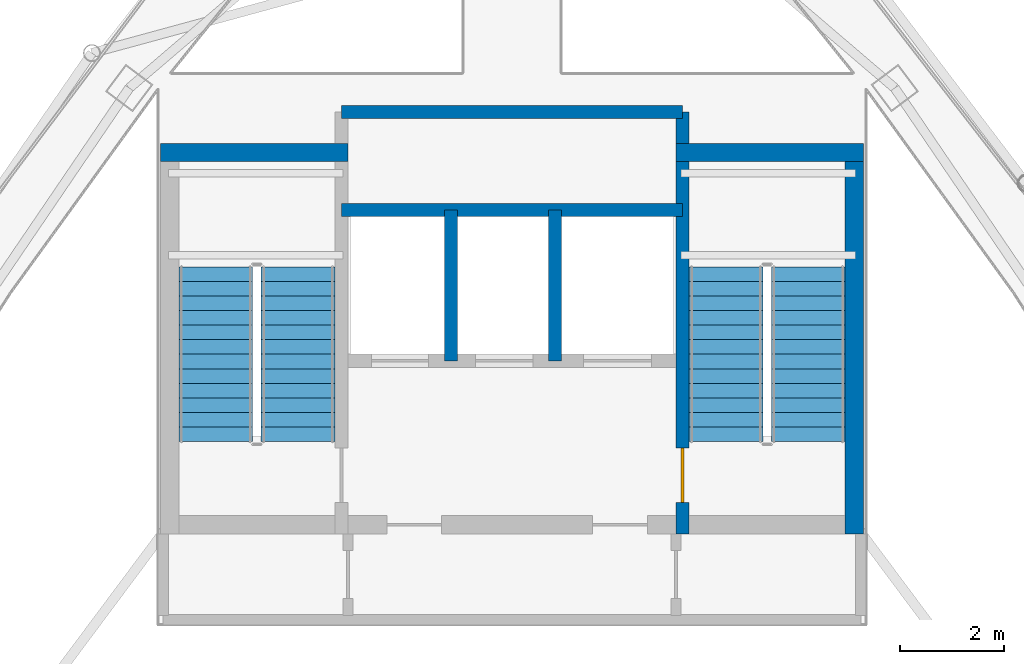
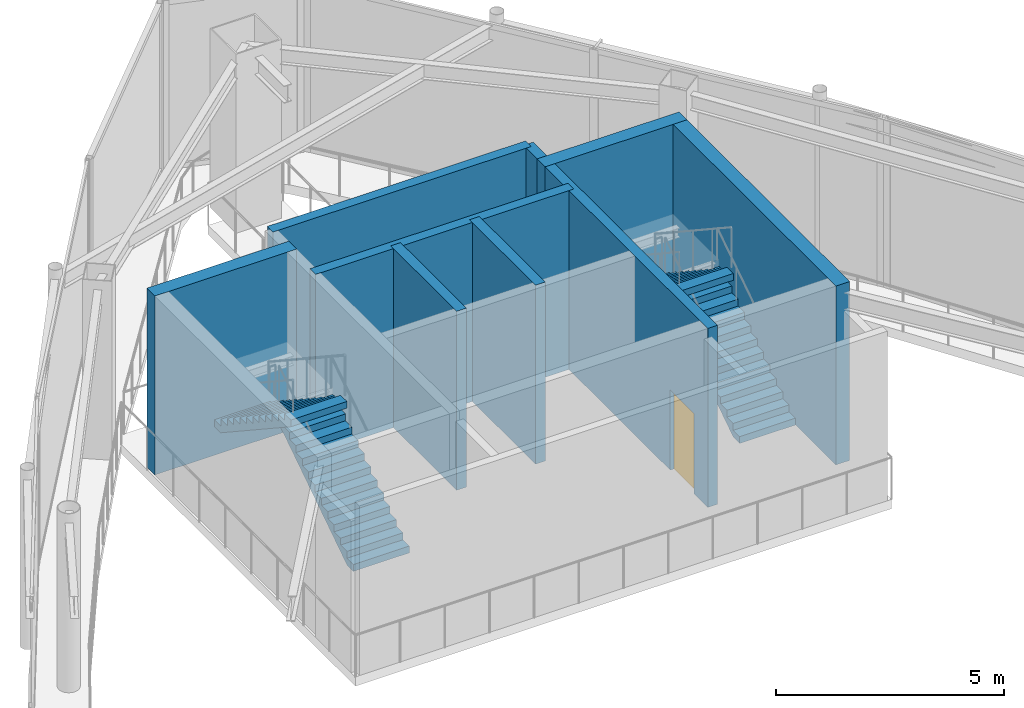
# One storey, part 16 of 19: 8 walls, 4 stair flights, 1 door, 1 opening, 2 elements without a shape of their own.
"""IFC4 building model written with IfcOpenShell, lengths in metres."""

from ifc_helpers import new_model, si_unit, direction, frame, frame_2d, origin, place, context, subcontext, project, spatial, polyline, rectangle, outline, extrude, material, layer, layer_set, type_object, element, fill, aggregate, save


model = new_model("IFC4")

# Units and contexts
model_context = context("Model", 3, precision=1e-05, world=origin(), true_north=direction((0.0, 1.0)))
body_context = subcontext(model_context, "Body", "Model", "MODEL_VIEW")
ifc_project = project(units=[si_unit("LENGTHUNIT", "METRE"), si_unit("AREAUNIT", "SQUARE_METRE"), si_unit("VOLUMEUNIT", "CUBIC_METRE"), si_unit("PLANEANGLEUNIT", "RADIAN"), si_unit("MASSUNIT", "GRAM", prefix="KILO")], contexts=[model_context])

# Site, building, storey
site_placement = place(None, origin())
site = spatial("IfcSite", under=ifc_project, at=site_placement, CompositionType="ELEMENT")
building_placement = place(site_placement, origin())
building = spatial("IfcBuilding", under=site, at=building_placement, Name="Orvanel Arch Residences", CompositionType="ELEMENT")
storey_placement = place(building_placement, frame((0.0, 0.0, 286.10009765625)))
storey = spatial("IfcBuildingStorey", under=building, at=storey_placement, Name="L81", CompositionType="ELEMENT", Elevation=286.10009765625)

# Wall, opening, door
ifc_material_1 = material(Name="Concrete N50 (50 MPa)", Category="concrete")
ifc_layer_1 = layer(ifc_material_1, 0.25)
ifc_layer_set_1 = layer_set([ifc_layer_1], Name="Concrete N50 (50 MPa)")
wall_type_1 = type_object("IfcWallType", Name="SW-CORE-250", PredefinedType="SHEAR", material=ifc_layer_set_1)
wall_1_placement = place(storey_placement, frame((36.27490234375, 26.550048828125, 0.0), z_axis=(0.0, 0.0, 1.0), x_axis=(0.0, 1.0, 0.0)))
wall_1 = element("IfcWall", 1, at=wall_1_placement, inside=storey, type_object=wall_type_1, Name="L81 East Inner Core Spine Shear Wall", PredefinedType="SHEAR", context=body_context, shape_type="SweptSolid", body=[
    extrude(rectangle(XDim=8.099853515625, YDim=0.25, at=frame_2d((4.0498046875, 0.0))), origin(), (0.0, 0.0, 1.0), 4.7998046875),
])
opening_placement = place(wall_1_placement, frame((0.60009765625, 0.0, 0.0)))
opening = element("IfcOpeningElement", 2, at=opening_placement, cuts=wall_1, Name="Opening DF-120", PredefinedType="OPENING", context=body_context, shape_type="SweptSolid", body=[
    extrude(rectangle(XDim=1.050048828125, YDim=2.14990234375, at=frame_2d((0.52490234375, 1.074951171875))), frame((0.0, 0.135009765625, 0.0), z_axis=(0.0, -1.0, 0.0), x_axis=(1.0, 0.0, 0.0)), (0.0, 0.0, 1.0), 0.27001953125),
])
ifc_material_2 = material(Name="Galvanised steel fire-resisting door assembly", Category="steel")
door_type = type_object("IfcDoorType", Name="DR-FD120-1050", OperationType="NOTDEFINED", PredefinedType="DOOR", material=ifc_material_2)
door_placement = place(opening_placement, origin())
door = element("IfcDoor", 3, at=door_placement, inside=storey, type_object=door_type, Name="DR-L81-ST2 L81 Stair 2 Fire Door", OperationType="SINGLE_SWING_RIGHT", OverallHeight=2.14990234375, OverallWidth=1.050048828125, PredefinedType="DOOR", context=body_context, shape_type="SweptSolid", body=[
    extrude(rectangle(XDim=1.050048828125, YDim=2.14990234375, at=frame_2d((0.52490234375, 1.074951171875))), frame((0.0, 0.02490234375, 0.0), z_axis=(0.0, -1.0, 0.0), x_axis=(1.0, 0.0, 0.0)), (0.0, 0.0, 1.0), 0.050048828125),
])
fill(opening, door)

# Walls
wall_2_placement = place(storey_placement, frame((29.72509765625, 32.77490234375, 0.0), z_axis=(0.0, 0.0, 1.0), x_axis=(1.0, 0.0, 0.0)))
element("IfcWall", 4, at=wall_2_placement, inside=storey, type_object=wall_type_1, Name="L81 Emergency Lift Back Core Shear Wall", PredefinedType="SHEAR", context=body_context, shape_type="SweptSolid", body=[
    extrude(rectangle(XDim=6.5498046875, YDim=0.25, at=frame_2d((3.27490234375, 0.0))), origin(), (0.0, 0.0, 1.0), 4.7998046875),
])
for number, where, z_axis, x_axis, name in (
    (5, (31.824951171875, 29.875, 0.0), (0.0, 0.0, 1.0), (0.0, 1.0, 0.0), "L81 Emergency Lift Inter-Shaft Wall F12"),
    (6, (33.824951171875, 29.875, 0.0), (0.0, 0.0, 1.0), (0.0, 1.0, 0.0), "L81 Emergency Lift Inter-Shaft Wall F2G"),
):
    element("IfcWall", number, at=place(storey_placement, frame(where, z_axis=z_axis, x_axis=x_axis)), inside=storey, type_object=wall_type_1, Name=name, PredefinedType="SHEAR", context=body_context, shape_type="SweptSolid", body=[
        extrude(rectangle(XDim=2.89990234375, YDim=0.25, at=frame_2d((1.449951171875, 0.0))), origin(), (0.0, 0.0, 1.0), 4.7998046875),
    ])
wall_3_placement = place(storey_placement, frame((29.72509765625, 34.64990234375, 0.0), z_axis=(0.0, 0.0, 1.0), x_axis=(1.0, 0.0, 0.0)))
element("IfcWall", 7, at=wall_3_placement, inside=storey, type_object=wall_type_1, Name="L81 Core Service Band North Shear Wall", PredefinedType="SHEAR", context=body_context, shape_type="SweptSolid", body=[
    extrude(rectangle(XDim=6.5498046875, YDim=0.25, at=frame_2d((3.27490234375, 0.0))), origin(), (0.0, 0.0, 1.0), 4.7998046875),
])
ifc_layer_2 = layer(ifc_material_1, 0.35009765625)
ifc_layer_set_2 = layer_set([ifc_layer_2], Name="Concrete N50 (50 MPa)")
wall_type_2 = type_object("IfcWallType", Name="SW-CORE-350", PredefinedType="SHEAR", material=ifc_layer_set_2)
wall_4_placement = place(storey_placement, frame((26.25, 33.875, 0.0), z_axis=(0.0, 0.0, 1.0), x_axis=(1.0, 0.0, 0.0)))
element("IfcWall", 8, at=wall_4_placement, inside=storey, type_object=wall_type_2, Name="L81 West Stair North Shear Wall", PredefinedType="SHEAR", context=body_context, shape_type="SweptSolid", body=[
    extrude(rectangle(XDim=3.60009765625, YDim=0.35009765625, at=frame_2d((1.800048828125, 0.0))), origin(), (0.0, 0.0, 1.0), 4.7998046875),
])
wall_5_placement = place(storey_placement, frame((39.574951171875, 26.550048828125, 0.0), z_axis=(0.0, 0.0, 1.0), x_axis=(0.0, 1.0, 0.0)))
element("IfcWall", 9, at=wall_5_placement, inside=storey, type_object=wall_type_2, Name="L81 East Stair Shear Wall", PredefinedType="SHEAR", context=body_context, shape_type="SweptSolid", body=[
    extrude(rectangle(XDim=7.5, YDim=0.35009765625, at=frame_2d((3.75, 0.0))), origin(), (0.0, 0.0, 1.0), 4.7998046875),
])
wall_6_placement = place(storey_placement, frame((36.14990234375, 33.875, 0.0), z_axis=(0.0, 0.0, 1.0), x_axis=(1.0, 0.0, 0.0)))
element("IfcWall", 10, at=wall_6_placement, inside=storey, type_object=wall_type_2, Name="L81 East Stair North Shear Wall", PredefinedType="SHEAR", context=body_context, shape_type="SweptSolid", body=[
    extrude(rectangle(XDim=3.60009765625, YDim=0.35009765625, at=frame_2d((1.800048828125, 0.0))), origin(), (0.0, 0.0, 1.0), 4.7998046875),
])

# Stair, stair flights
ifc_material_3 = material(Name="Precast concrete N50 (50 MPa)", Category="concrete")
stair_type = type_object("IfcStairType", Name="STR-DOG-184", PredefinedType="USERDEFINED", material=ifc_material_3)
stair_1_placement = place(storey_placement, origin())
stair_1 = element("IfcStair", 11, at=stair_1_placement, inside=storey, type_object=stair_type, Name="L81 Fire-Isolated Core Exit Stair 1", ObjectType="TWO_RETURN_STAIR", PredefinedType="USERDEFINED")
stair_flight_type_1 = type_object("IfcStairFlightType", Name="SFL-C1-184", PredefinedType="STRAIGHT", material=ifc_material_3)
stair_flight_1_placement = place(storey_placement, frame((28.889892578125, 28.320068359375, 0.0), z_axis=(0.0, 0.0, 1.0), x_axis=(0.0, 1.0, 0.0)))
stair_flight_1 = element("IfcStairFlight", 12, at=stair_flight_1_placement, type_object=stair_flight_type_1, Name="ST-1 flight 1", NumberOfRisers=13, NumberOfTreads=12, PredefinedType="STRAIGHT", RiserHeight=0.184615385, TreadLength=0.28, context=body_context, shape_type="SweptSolid", body=[
    extrude(outline(polyline([(0.0, 0.0), (0.0, 0.1845703125), (0.280029296875, 0.1845703125), (0.280029296875, 0.369140625), (0.56005859375, 0.369140625), (0.56005859375, 0.553955078125), (0.840087890625, 0.553955078125), (0.840087890625, 0.738525390625), (1.1201171875, 0.738525390625), (1.1201171875, 0.923095703125), (1.39990234375, 0.923095703125), (1.39990234375, 1.107666015625), (1.679931640625, 1.107666015625), (1.679931640625, 1.292236328125), (1.9599609375, 1.292236328125), (1.9599609375, 1.476806640625), (2.239990234375, 1.476806640625), (2.239990234375, 1.66162109375), (2.52001953125, 1.66162109375), (2.52001953125, 1.84619140625), (2.800048828125, 1.84619140625), (2.800048828125, 2.03076171875), (3.080078125, 2.03076171875), (3.080078125, 2.21533203125), (3.360107421875, 2.21533203125), (3.360107421875, 2.39990234375), (3.360107421875, 2.035888671875), (0.272216796875, 0.0), (0.0, 0.0)])), frame((0.0, 0.7099609375, 0.0), z_axis=(0.0, -1.0, 0.0), x_axis=(1.0, 0.0, 0.0)), (0.0, 0.0, 1.0), 1.419921875),
])
stair_flight_2_placement = place(storey_placement, frame((27.31005859375, 31.679931640625, 2.39990234375), z_axis=(0.0, 0.0, 1.0), x_axis=(0.0, -1.0, 0.0)))
stair_flight_2 = element("IfcStairFlight", 13, at=stair_flight_2_placement, type_object=stair_flight_type_1, Name="ST-1 flight 2", NumberOfRisers=13, NumberOfTreads=12, PredefinedType="STRAIGHT", RiserHeight=0.184615385, TreadLength=0.28, context=body_context, shape_type="SweptSolid", body=[
    extrude(outline(polyline([(0.0, 0.0), (0.0, 0.1845703125), (0.280029296875, 0.1845703125), (0.280029296875, 0.369140625), (0.56005859375, 0.369140625), (0.56005859375, 0.553955078125), (0.840087890625, 0.553955078125), (0.840087890625, 0.738525390625), (1.1201171875, 0.738525390625), (1.1201171875, 0.923095703125), (1.39990234375, 0.923095703125), (1.39990234375, 1.107666015625), (1.679931640625, 1.107666015625), (1.679931640625, 1.292236328125), (1.9599609375, 1.292236328125), (1.9599609375, 1.476806640625), (2.239990234375, 1.476806640625), (2.239990234375, 1.66162109375), (2.52001953125, 1.66162109375), (2.52001953125, 1.84619140625), (2.800048828125, 1.84619140625), (2.800048828125, 2.03076171875), (3.080078125, 2.03076171875), (3.080078125, 2.21533203125), (3.360107421875, 2.21533203125), (3.360107421875, 2.39990234375), (3.360107421875, 2.035888671875), (0.272216796875, 0.0), (0.0, 0.0)])), frame((0.0, 0.7099609375, 0.0), z_axis=(0.0, -1.0, 0.0), x_axis=(1.0, 0.0, 0.0)), (0.0, 0.0, 1.0), 1.419921875),
])
aggregate(stair_1, [stair_flight_1, stair_flight_2])

stair_2_placement = place(storey_placement, origin())
stair_2 = element("IfcStair", 14, at=stair_2_placement, inside=storey, type_object=stair_type, Name="L81 Fire-Isolated Core Exit Stair 2", ObjectType="TWO_RETURN_STAIR", PredefinedType="USERDEFINED")
stair_flight_type_2 = type_object("IfcStairFlightType", Name="SFL-C2-184", PredefinedType="STRAIGHT", material=ifc_material_3)
stair_flight_3_placement = place(storey_placement, frame((38.68994140625, 28.320068359375, 0.0), z_axis=(0.0, 0.0, 1.0), x_axis=(0.0, 1.0, 0.0)))
stair_flight_3 = element("IfcStairFlight", 15, at=stair_flight_3_placement, type_object=stair_flight_type_2, Name="ST-2 flight 1", NumberOfRisers=13, NumberOfTreads=12, PredefinedType="STRAIGHT", RiserHeight=0.184615385, TreadLength=0.28, context=body_context, shape_type="SweptSolid", body=[
    extrude(outline(polyline([(0.0, 0.0), (0.0, 0.1845703125), (0.280029296875, 0.1845703125), (0.280029296875, 0.369140625), (0.56005859375, 0.369140625), (0.56005859375, 0.553955078125), (0.840087890625, 0.553955078125), (0.840087890625, 0.738525390625), (1.1201171875, 0.738525390625), (1.1201171875, 0.923095703125), (1.39990234375, 0.923095703125), (1.39990234375, 1.107666015625), (1.679931640625, 1.107666015625), (1.679931640625, 1.292236328125), (1.9599609375, 1.292236328125), (1.9599609375, 1.476806640625), (2.239990234375, 1.476806640625), (2.239990234375, 1.66162109375), (2.52001953125, 1.66162109375), (2.52001953125, 1.84619140625), (2.800048828125, 1.84619140625), (2.800048828125, 2.03076171875), (3.080078125, 2.03076171875), (3.080078125, 2.21533203125), (3.360107421875, 2.21533203125), (3.360107421875, 2.39990234375), (3.360107421875, 2.035888671875), (0.272216796875, 0.0), (0.0, 0.0)])), frame((0.0, 0.7099609375, 0.0), z_axis=(0.0, -1.0, 0.0), x_axis=(1.0, 0.0, 0.0)), (0.0, 0.0, 1.0), 1.419921875),
])
stair_flight_4_placement = place(storey_placement, frame((37.110107421875, 31.679931640625, 2.39990234375), z_axis=(0.0, 0.0, 1.0), x_axis=(0.0, -1.0, 0.0)))
stair_flight_4 = element("IfcStairFlight", 16, at=stair_flight_4_placement, type_object=stair_flight_type_2, Name="ST-2 flight 2", NumberOfRisers=13, NumberOfTreads=12, PredefinedType="STRAIGHT", RiserHeight=0.184615385, TreadLength=0.28, context=body_context, shape_type="SweptSolid", body=[
    extrude(outline(polyline([(0.0, 0.0), (0.0, 0.1845703125), (0.280029296875, 0.1845703125), (0.280029296875, 0.369140625), (0.56005859375, 0.369140625), (0.56005859375, 0.553955078125), (0.840087890625, 0.553955078125), (0.840087890625, 0.738525390625), (1.1201171875, 0.738525390625), (1.1201171875, 0.923095703125), (1.39990234375, 0.923095703125), (1.39990234375, 1.107666015625), (1.679931640625, 1.107666015625), (1.679931640625, 1.292236328125), (1.9599609375, 1.292236328125), (1.9599609375, 1.476806640625), (2.239990234375, 1.476806640625), (2.239990234375, 1.66162109375), (2.52001953125, 1.66162109375), (2.52001953125, 1.84619140625), (2.800048828125, 1.84619140625), (2.800048828125, 2.03076171875), (3.080078125, 2.03076171875), (3.080078125, 2.21533203125), (3.360107421875, 2.21533203125), (3.360107421875, 2.39990234375), (3.360107421875, 2.035888671875), (0.272216796875, 0.0), (0.0, 0.0)])), frame((0.0, 0.7099609375, 0.0), z_axis=(0.0, -1.0, 0.0), x_axis=(1.0, 0.0, 0.0)), (0.0, 0.0, 1.0), 1.419921875),
])
aggregate(stair_2, [stair_flight_3, stair_flight_4])

save(model, "model.ifc")
